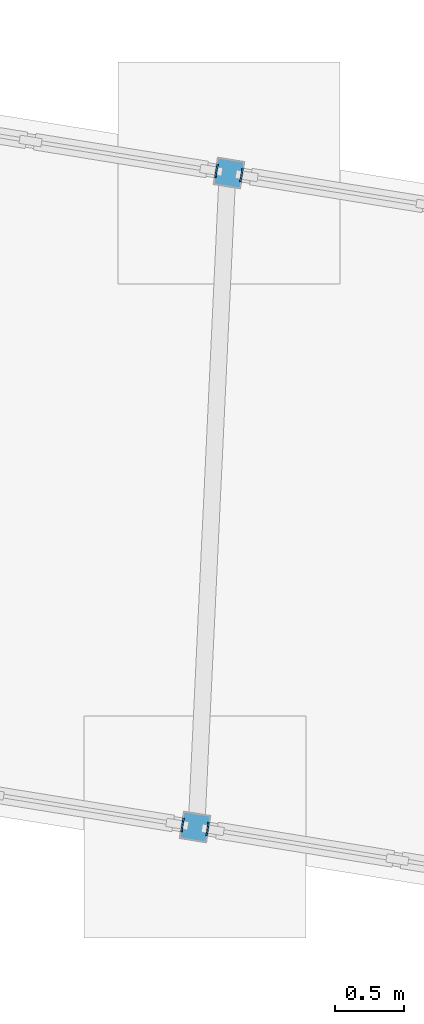
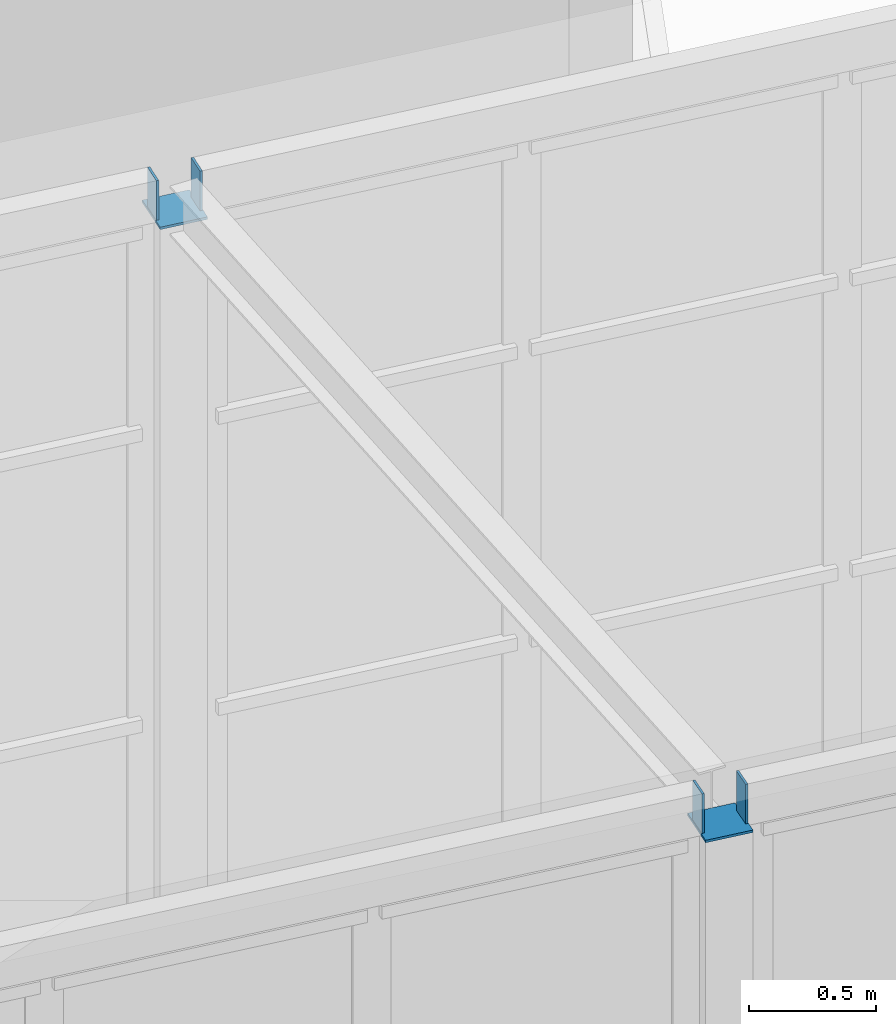
# One storey, part 206 of 226: 6 discrete accessories.
"""IFC4 building model written with IfcOpenShell, lengths in metres."""

import ifcopenshell
import ifcopenshell.guid

model = None  # the IFC model being written
_history = None  # IfcOwnerHistory: only IFC2X3 demands one
_inside = {}  # id of a spatial element -> (the spatial element, [elements in it])
_under = {}  # id of a project, library or spatial element -> (it, [spatial elements below it])
_declared = {}  # id of a project -> (the project, [libraries it declares])
_typed = {}  # id of a type object -> (the type object, [elements of that type])
_made_of = {}  # id of a material, layer set ... -> (it, [elements and type objects made of it])


def new_model(schema):
    """Start an empty IFC model of exactly this schema.

    Asked for "IFC4X3", IfcOpenShell would pick the latest addendum, in which some entities
    have other attributes; the version numbers below select the first issue.
    IFC2X3 requires an IfcOwnerHistory on every rooted entity: one is made here for all.
    """
    global model, _history
    if schema == "IFC4X3":
        model = ifcopenshell.file(schema_version=(4, 3, 0, 0))
    else:
        model = ifcopenshell.file(schema=schema)
    _inside.clear()
    _under.clear()
    _declared.clear()
    _typed.clear()
    _made_of.clear()
    _history = None
    if model.schema == "IFC2X3":
        org = make("IfcOrganization", Name="unknown")
        user = make(
            "IfcPersonAndOrganization",
            ThePerson=make("IfcPerson", FamilyName="unknown"),
            TheOrganization=org,
        )
        app = make(
            "IfcApplication",
            ApplicationDeveloper=org,
            Version="unknown",
            ApplicationFullName="unknown",
            ApplicationIdentifier="unknown",
        )
        _history = make(
            "IfcOwnerHistory",
            OwningUser=user,
            OwningApplication=app,
            ChangeAction="ADDED",
            CreationDate=0,
        )
    return model


def make(cls, **values):
    """One entity of the class cls with the attributes given. An attribute that is None is left unset."""
    return model.create_entity(
        cls, **{name: value for name, value in values.items() if value is not None}
    )


def rooted(cls, **values):
    """An entity with a GlobalId (a new one), such as an element, a storey or a relation."""
    return make(cls, GlobalId=ifcopenshell.guid.new(), OwnerHistory=_history, **values)


def si_unit(unit_type, name, prefix=None):
    """IfcSIUnit, for example si_unit("LENGTHUNIT", "METRE", prefix="MILLI")."""
    return make("IfcSIUnit", UnitType=unit_type, Prefix=prefix, Name=name)


def assignment(units):
    """IfcUnitAssignment: the units of a project."""
    return None if units is None else make("IfcUnitAssignment", Units=units)


def point(xyz):
    """IfcCartesianPoint."""
    return None if xyz is None else make("IfcCartesianPoint", Coordinates=xyz)


def direction(xyz):
    """IfcDirection."""
    return None if xyz is None else make("IfcDirection", DirectionRatios=xyz)


def frame(location, z_axis=None, x_axis=None):
    """IfcAxis2Placement3D, a coordinate frame: its origin and axes. An axis left out is left unset."""
    return make(
        "IfcAxis2Placement3D",
        Location=point(location),
        Axis=direction(z_axis),
        RefDirection=direction(x_axis),
    )


def frame_2d(location, x_axis=None):
    """IfcAxis2Placement2D, a coordinate frame in the plane: its origin and x axis."""
    return make(
        "IfcAxis2Placement2D", Location=point(location), RefDirection=direction(x_axis)
    )


def origin():
    """The frame at (0, 0, 0) with its axes left unset."""
    return frame((0.0, 0.0, 0.0))


def origin_2d():
    """The frame at (0, 0) in the plane with its x axis left unset."""
    return frame_2d((0.0, 0.0))


def place(relative_to, where):
    """IfcLocalPlacement: puts the frame where relative to a parent placement (None: the world)."""
    return make(
        "IfcLocalPlacement", PlacementRelTo=relative_to, RelativePlacement=where
    )


def context(
    kind, dimensions, precision=None, world=None, true_north=None, identifier=None
):
    """IfcGeometricRepresentationContext, for example the 3D "Model" context."""
    return make(
        "IfcGeometricRepresentationContext",
        ContextIdentifier=identifier,
        ContextType=kind,
        CoordinateSpaceDimension=dimensions,
        Precision=precision,
        WorldCoordinateSystem=world,
        TrueNorth=true_north,
    )


def subcontext(parent, identifier, kind, view, scale=None):
    """IfcGeometricRepresentationSubContext, for example "Body" below "Model"."""
    return make(
        "IfcGeometricRepresentationSubContext",
        ContextIdentifier=identifier,
        ContextType=kind,
        ParentContext=parent,
        TargetScale=scale,
        TargetView=view,
    )


def project(units=None, contexts=None):
    """IfcProject with its units and contexts."""
    return rooted(
        "IfcProject",
        Name="project",
        RepresentationContexts=contexts,
        UnitsInContext=assignment(units),
    )


def spatial(cls, under=None, at=None, **own):
    """A site, building, storey or space (cls), placed at a placement, below another one or the project."""
    s = rooted(cls, ObjectPlacement=at, **own)
    if under is not None:
        _under.setdefault(under.id(), (under, []))[1].append(s)
    return s


def profile(cls, at=None, kind="AREA", **sizes):
    """A parametric profile (cls). Its sizes go by their IFC names, for example OverallWidth=200.0."""
    return make(cls, ProfileType=kind, Position=at, **sizes)


def rectangle(**sizes):
    """IfcRectangleProfileDef."""
    return profile("IfcRectangleProfileDef", **sizes)


def extrude(swept, where, along, depth):
    """IfcExtrudedAreaSolid: the profile swept, set in the frame where, extruded along a direction by depth."""
    return make(
        "IfcExtrudedAreaSolid",
        SweptArea=swept,
        Position=where,
        ExtrudedDirection=direction(along),
        Depth=depth,
    )


def shape(context_of_items, identifier, shape_type, items):
    """IfcShapeRepresentation: the items that make up one representation, for example the "Body"."""
    return make(
        "IfcShapeRepresentation",
        ContextOfItems=context_of_items,
        RepresentationIdentifier=identifier,
        RepresentationType=shape_type,
        Items=items,
    )


def material(Name=None, Category=None):
    """IfcMaterial."""
    return make("IfcMaterial", Name=Name, Category=Category)


def material_profile(
    of_material, cross_section, Name=None, Category=None, Priority=None
):
    """IfcMaterialProfile: a cross section and its material."""
    return make(
        "IfcMaterialProfile",
        Name=Name,
        Material=of_material,
        Profile=cross_section,
        Priority=Priority,
        Category=Category,
    )


def profile_set(profiles, Name=None, composite=None):
    """IfcMaterialProfileSet."""
    return make(
        "IfcMaterialProfileSet",
        Name=Name,
        MaterialProfiles=profiles,
        CompositeProfile=composite,
    )


def made_of(thing, what):
    """Note that an element or type object is made of a material, layer set ...; save() writes the relation."""
    if what is not None:
        _made_of.setdefault(what.id(), (what, []))[1].append(thing)
    return thing


def type_object(cls, material=None, **own):
    """A type object (cls), such as IfcWallType, which elements share."""
    return made_of(rooted(cls, **own), material)


def element(
    cls,
    number,
    at=None,
    inside=None,
    cuts=None,
    type_object=None,
    material=None,
    context=None,
    identifier="Body",
    shape_type=None,
    held_by="IfcProductDefinitionShape",
    body=None,
    shapes=None,
    **own,
):
    """One element of the class cls, such as IfcWall. Its Tag is "e" and its number.

    at: its placement. inside: the storey or other place that contains it. cuts: it is an
    opening in that element (IfcRelVoidsElement). A single representation is given by context,
    identifier, shape_type and body (its items); several are given by shapes. held_by: the class
    of the entity that holds the representations. save() writes the other relations.
    """
    e = rooted(cls, Tag="e%d" % number, ObjectPlacement=at, **own)
    if body is not None:
        shapes = [shape(context, identifier, shape_type, body)]
    if shapes is not None:
        e.Representation = make(held_by, Representations=shapes)
    if inside is not None:
        _inside.setdefault(inside.id(), (inside, []))[1].append(e)
    if cuts is not None:
        rooted(
            "IfcRelVoidsElement", RelatingBuildingElement=cuts, RelatedOpeningElement=e
        )
    if type_object is not None:
        _typed.setdefault(type_object.id(), (type_object, []))[1].append(e)
    return made_of(e, material)


def aggregate(whole, parts):
    """IfcRelAggregates: a whole, such as a stair, and the parts it consists of."""
    return rooted("IfcRelAggregates", RelatingObject=whole, RelatedObjects=parts)


def save(model, path):
    """Write the relations noted so far, then the file.

    IfcRelAggregates (storeys below a building ...), IfcRelContainedInSpatialStructure (elements
    in a storey), IfcRelDefinesByType, IfcRelAssociatesMaterial and IfcRelDeclares: one each for
    every whole, place, type object, material and project.
    """
    for whole, parts in _under.values():
        aggregate(whole, parts)
    for where, things in _inside.values():
        rooted(
            "IfcRelContainedInSpatialStructure",
            RelatedElements=things,
            RelatingStructure=where,
        )
    for kind, things in _typed.values():
        rooted("IfcRelDefinesByType", RelatedObjects=things, RelatingType=kind)
    for what, things in _made_of.values():
        rooted("IfcRelAssociatesMaterial", RelatedObjects=things, RelatingMaterial=what)
    for by, libraries in _declared.values():
        rooted("IfcRelDeclares", RelatingContext=by, RelatedDefinitions=libraries)
    model.write(path)


model = new_model("IFC4")

# Units and contexts
model_context = context("Model", 3, precision=1e-05, world=origin(), true_north=direction((0.0, 1.0)))
body_context = subcontext(model_context, "Body", "Model", "MODEL_VIEW")
ifc_project = project(units=[si_unit("LENGTHUNIT", "METRE"), si_unit("AREAUNIT", "SQUARE_METRE"), si_unit("VOLUMEUNIT", "CUBIC_METRE"), si_unit("PLANEANGLEUNIT", "RADIAN"), si_unit("MASSUNIT", "GRAM", prefix="KILO")], contexts=[model_context])

# Site, building, storey
site_placement = place(None, origin())
site = spatial("IfcSite", under=ifc_project, at=site_placement, CompositionType="ELEMENT")
building_placement = place(site_placement, origin())
building = spatial("IfcBuilding", under=site, at=building_placement, Name="Ceibo Conservatory and Research Tower", CompositionType="ELEMENT")
storey_placement = place(building_placement, origin())
storey = spatial("IfcBuildingStorey", under=building, at=storey_placement, Name="L00", CompositionType="ELEMENT", Elevation=0.0)

# Discrete accessories
ifc_material = material(Name="Steel S355J2", Category="steel")
ifc_material_profile_1 = material_profile(ifc_material, rectangle(XDim=0.10009765625, YDim=0.199951171875, at=origin_2d()), Name="End plate PL 200x100x8")
ifc_profile_set_1 = profile_set([ifc_material_profile_1], Name="Steel S355J2")
discrete_accessory_type_1 = type_object("IfcDiscreteAccessoryType", Name="End plate PL 200x100x8", PredefinedType="USERDEFINED", material=ifc_profile_set_1)
for number, where, z_axis, x_axis, name in (
    (1, (103.656982421875, 107.8408203125, 3.89990234375), (-0.988936352868, 0.14834045293, 0.0), (-0.14834045293, -0.988936352868, 0.0), "Gallery edge beam A-RT-EBN03 end plate"),
    (2, (103.475341796875, 107.8701171875, 3.89990234375), (-0.988936352868, 0.14834045293, 0.0), (-0.14834045293, -0.988936352868, 0.0), "Gallery edge beam A-RT-EBN04 end plate"),
):
    element("IfcDiscreteAccessory", number, at=place(storey_placement, frame(where, z_axis=z_axis, x_axis=x_axis)), inside=storey, type_object=discrete_accessory_type_1, Name=name, ObjectType="End plate", PredefinedType="USERDEFINED", context=body_context, shape_type="SweptSolid", body=[
        extrude(rectangle(XDim=0.10009765625, YDim=0.199951171875, at=origin_2d()), origin(), (0.0, 0.0, 1.0), 0.009765625),
    ])
for number, where, z_axis, x_axis, name in (
    (3, (103.902099609375, 112.56201171875, 3.89990234375), (-0.98573642551, 0.168296462892, 0.0), (-0.168296462892, -0.98573642551, 0.0), "Gallery edge beam A-RT-EBS03 end plate"),
    (4, (103.720458984375, 112.59130859375, 3.89990234375), (-0.98573642551, 0.168296462892, 0.0), (-0.168296462892, -0.98573642551, 0.0), "Gallery edge beam A-RT-EBS04 end plate"),
):
    element("IfcDiscreteAccessory", number, at=place(storey_placement, frame(where, z_axis=z_axis, x_axis=x_axis)), inside=storey, type_object=discrete_accessory_type_1, Name=name, ObjectType="End plate", PredefinedType="USERDEFINED", context=body_context, shape_type="SweptSolid", body=[
        extrude(rectangle(XDim=0.10009765625, YDim=0.199951171875, at=origin_2d()), origin(), (0.0, 0.0, 1.0), 0.01025390625),
    ])
ifc_material_profile_2 = material_profile(ifc_material, rectangle(XDim=0.199951171875, YDim=0.199951171875, at=origin_2d()), Name="End plate PL 200x200x10")
ifc_profile_set_2 = profile_set([ifc_material_profile_2], Name="Steel S355J2")
discrete_accessory_type_2 = type_object("IfcDiscreteAccessoryType", Name="End plate PL 200x200x10", PredefinedType="USERDEFINED", material=ifc_profile_set_2)
for number, where, z_axis, x_axis, name in (
    (5, (103.561279296875, 107.856201171875, 3.798095703125), (0.0, 0.0, 1.0), (-0.987215515464, 0.159391110254, 0.0), "Gallery column A-RT-CN03 end plate"),
    (6, (103.80615234375, 112.57763671875, 3.798095703125), (0.0, 0.0, 1.0), (-0.987215515464, 0.159391110254, 0.0), "Gallery column A-RT-CS03 end plate"),
):
    element("IfcDiscreteAccessory", number, at=place(storey_placement, frame(where, z_axis=z_axis, x_axis=x_axis)), inside=storey, type_object=discrete_accessory_type_2, Name=name, ObjectType="End plate", PredefinedType="USERDEFINED", context=body_context, shape_type="SweptSolid", body=[
        extrude(rectangle(XDim=0.199951171875, YDim=0.199951171875, at=origin_2d()), origin(), (0.0, 0.0, 1.0), 0.011962890625),
    ])

save(model, "model.ifc")
